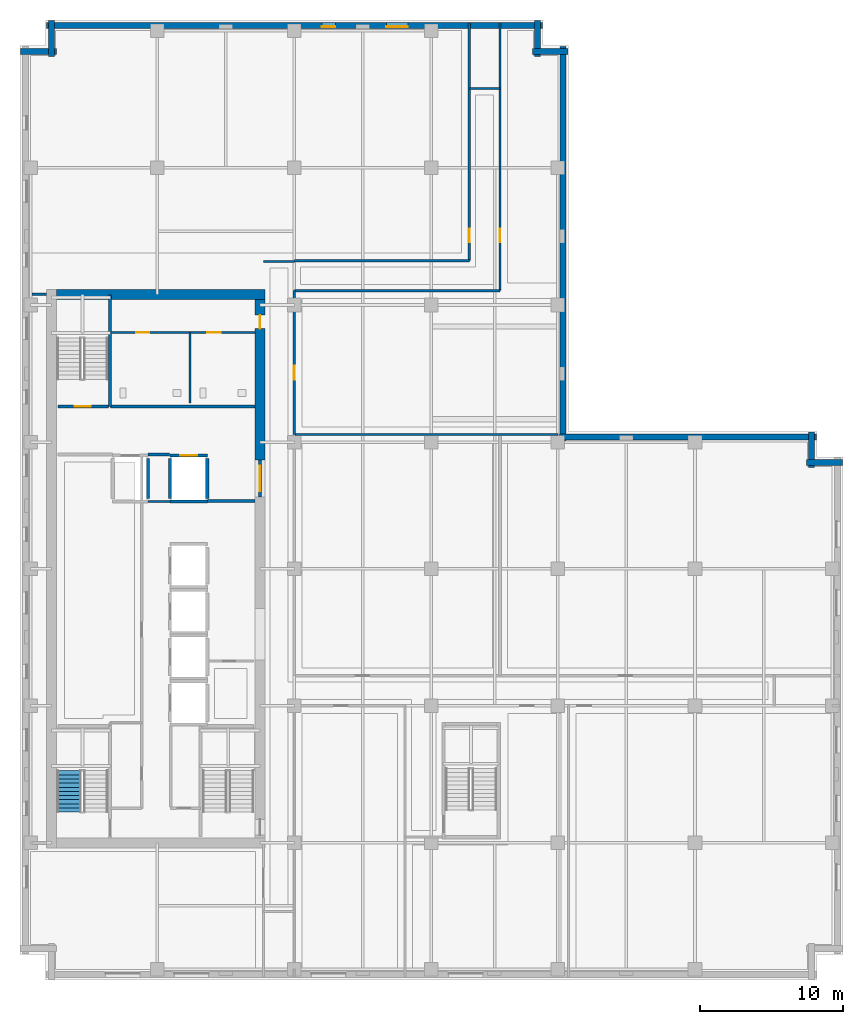
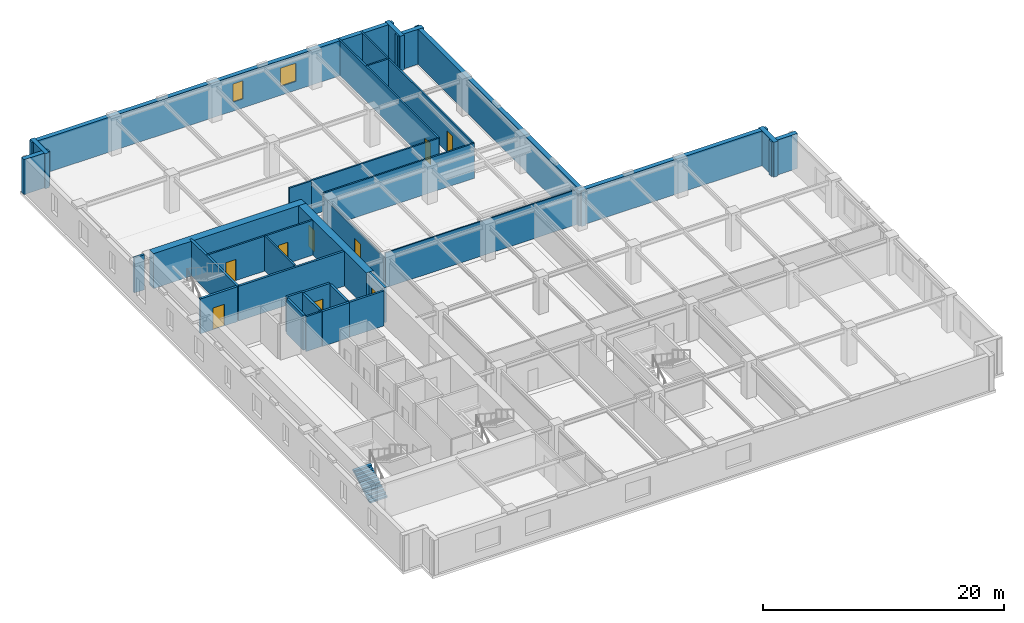
# One storey, part 7 of 13: 34 walls, 9 doors, 2 windows, 1 stair flight, 11 openings, 1 element without a shape of its own.
"""IFC4 building model written with IfcOpenShell, lengths in metres."""

from ifc_helpers import new_model, si_unit, direction, frame, frame_2d, origin, place, context, subcontext, project, spatial, polyline, rectangle, outline, extrude, material, layer, layer_set, type_object, element, fill, aggregate, save


model = new_model("IFC4")

# Units and contexts
model_context = context("Model", 3, precision=1e-05, world=origin(), true_north=direction((0.0, 1.0)))
body_context = subcontext(model_context, "Body", "Model", "MODEL_VIEW")
ifc_project = project(units=[si_unit("LENGTHUNIT", "METRE"), si_unit("AREAUNIT", "SQUARE_METRE"), si_unit("VOLUMEUNIT", "CUBIC_METRE"), si_unit("PLANEANGLEUNIT", "RADIAN"), si_unit("MASSUNIT", "GRAM", prefix="KILO")], contexts=[model_context])

# Site, building, storey
site_placement = place(None, origin())
site = spatial("IfcSite", under=ifc_project, at=site_placement, CompositionType="ELEMENT")
building_placement = place(site_placement, origin())
building = spatial("IfcBuilding", under=site, at=building_placement, Name="Norrvale University Quadrangle", CompositionType="ELEMENT")
storey_placement = place(building_placement, frame((0.0, 0.0, 163.60009765625)))
storey = spatial("IfcBuildingStorey", under=building, at=storey_placement, Name="L41", CompositionType="ELEMENT", Elevation=163.60009765625)

# Walls
ifc_material_1 = material(Name="Buff Norman Clay Brick Masonry", Category="masonry")
ifc_layer_1 = layer(ifc_material_1, 0.419921875, Name="Buff Norman Clay Brick Masonry")
ifc_layer_set_1 = layer_set([ifc_layer_1], Name="Buff Norman Clay Brick Masonry")
wall_type_1 = type_object("IfcWallType", Name="Wall Buff Brick 420", PredefinedType="SOLIDWALL", material=ifc_layer_set_1)
for number, where, z_axis, x_axis, name in (
    (1, (57.56005859375, 36.2099609375, 0.0), (0.0, 0.0, 1.0), (-1.0, 0.0, 0.0), "Exterior Brick Facade Wall L41-05.1"),
    (2, (55.409912109375, 35.860107421875, 0.0), (0.0, 0.0, 1.0), (0.0, 1.0, 0.0), "Exterior Brick Facade Wall L41-06.1"),
):
    element("IfcWall", number, at=place(storey_placement, frame(where, z_axis=z_axis, x_axis=x_axis)), inside=storey, type_object=wall_type_1, Name=name, PredefinedType="SOLIDWALL", context=body_context, shape_type="SweptSolid", body=[
        extrude(rectangle(XDim=2.5, YDim=0.419921875, at=frame_2d((1.25, 0.0))), origin(), (0.0, 0.0, 1.0), 3.539794921875),
    ])
wall_1_placement = place(storey_placement, frame((55.760009765625, 38.010009765625, 0.0), z_axis=(0.0, 0.0, 1.0), x_axis=(-1.0, 0.0, 0.0)))
element("IfcWall", 3, at=wall_1_placement, inside=storey, type_object=wall_type_1, Name="Exterior Brick Facade Wall L41-07.1", PredefinedType="SOLIDWALL", context=body_context, shape_type="SweptSolid", body=[
    extrude(rectangle(XDim=18.10009765625, YDim=0.419921875, at=frame_2d((9.050048828125, 0.0))), origin(), (0.0, 0.0, 1.0), 3.539794921875),
])
wall_2_placement = place(storey_placement, frame((38.010009765625, 37.659912109375, 0.0), z_axis=(0.0, 0.0, 1.0), x_axis=(0.0, 1.0, 0.0)))
element("IfcWall", 4, at=wall_2_placement, inside=storey, type_object=wall_type_1, Name="Exterior Brick Facade Wall L41-08.1", PredefinedType="SOLIDWALL", context=body_context, shape_type="SweptSolid", body=[
    extrude(rectangle(XDim=27.7001953125, YDim=0.419921875, at=frame_2d((13.85009765625, 0.0))), origin(), (0.0, 0.0, 1.0), 3.539794921875),
])
for number, where, z_axis, x_axis, name in (
    (5, (38.360107421875, 65.010009765625, 0.0), (0.0, 0.0, 1.0), (-1.0, 0.0, 0.0), "Exterior Brick Facade Wall L41-09.1"),
    (6, (36.2099609375, 64.659912109375, 0.0), (0.0, 0.0, 1.0), (0.0, 1.0, 0.0), "Exterior Brick Facade Wall L41-10.1"),
):
    element("IfcWall", number, at=place(storey_placement, frame(where, z_axis=z_axis, x_axis=x_axis)), inside=storey, type_object=wall_type_1, Name=name, PredefinedType="SOLIDWALL", context=body_context, shape_type="SweptSolid", body=[
        extrude(rectangle(XDim=2.5, YDim=0.419921875, at=frame_2d((1.25, 0.0))), origin(), (0.0, 0.0, 1.0), 3.539794921875),
    ])

# Wall, openings, windows
wall_3_placement = place(storey_placement, frame((36.56005859375, 66.81005859375, 0.0), z_axis=(0.0, 0.0, 1.0), x_axis=(-1.0, 0.0, 0.0)))
wall_3 = element("IfcWall", 7, at=wall_3_placement, inside=storey, type_object=wall_type_1, Name="Exterior Brick Facade Wall L41-11.1", PredefinedType="SOLIDWALL", context=body_context, shape_type="SweptSolid", body=[
    extrude(rectangle(XDim=34.719970703125, YDim=0.419921875, at=frame_2d((17.35986328125, 0.0))), origin(), (0.0, 0.0, 1.0), 3.539794921875),
])
opening_1_placement = place(wall_3_placement, frame((9.409912109375, 0.0, 0.89990234375)))
opening_1 = element("IfcOpeningElement", 8, at=opening_1_placement, cuts=wall_3, Name="Opening W03", PredefinedType="OPENING", context=body_context, shape_type="SweptSolid", body=[
    extrude(rectangle(XDim=1.5, YDim=1.85009765625, at=frame_2d((0.75, 0.925048828125))), frame((0.0, 0.221923828125, 0.0), z_axis=(0.0, -1.0, 0.0), x_axis=(1.0, 0.0, 0.0)), (0.0, 0.0, 1.0), 0.44384765625),
])
opening_2_placement = place(wall_3_placement, frame((14.485107421875, 0.0, 0.89990234375)))
opening_2 = element("IfcOpeningElement", 9, at=opening_2_placement, cuts=wall_3, Name="Opening W04", PredefinedType="OPENING", context=body_context, shape_type="SweptSolid", body=[
    extrude(rectangle(XDim=0.949951171875, YDim=1.85009765625, at=frame_2d((0.47509765625, 0.925048828125))), frame((0.0, 0.221923828125, 0.0), z_axis=(0.0, -1.0, 0.0), x_axis=(1.0, 0.0, 0.0)), (0.0, 0.0, 1.0), 0.44384765625),
])
ifc_material_2 = material(Name="Triple Low-E Argon Glazing", Category="glass")
window_type_1 = type_object("IfcWindowType", Name="Window Narrow Pier 950x2300", PartitioningType="SINGLE_PANEL", PredefinedType="WINDOW", material=ifc_material_2)
window_1_placement = place(opening_2_placement, origin())
window_1 = element("IfcWindow", 10, at=window_1_placement, inside=storey, type_object=window_type_1, Name="Window Narrow Pier 950x2300 WIN-L41-E11-1-02", OverallHeight=1.85009765625, OverallWidth=0.949951171875, PartitioningType="SINGLE_PANEL", PredefinedType="WINDOW", context=body_context, shape_type="SweptSolid", body=[
    extrude(rectangle(XDim=0.949951171875, YDim=1.85009765625, at=frame_2d((0.47509765625, 0.925048828125))), frame((0.0, 0.110107421875, 0.0), z_axis=(0.0, -1.0, 0.0), x_axis=(1.0, 0.0, 0.0)), (0.0, 0.0, 1.0), 0.06005859375),
])
fill(opening_2, window_1)
window_type_2 = type_object("IfcWindowType", Name="Window Studio 1500x2300", PartitioningType="DOUBLE_PANEL_VERTICAL", PredefinedType="WINDOW", material=ifc_material_2)
window_2_placement = place(opening_1_placement, origin())
window_2 = element("IfcWindow", 11, at=window_2_placement, inside=storey, type_object=window_type_2, Name="Window Studio 1500x2300 WIN-L41-E11-1-01", OverallHeight=1.85009765625, OverallWidth=1.5, PartitioningType="DOUBLE_PANEL_VERTICAL", PredefinedType="WINDOW", context=body_context, shape_type="SweptSolid", body=[
    extrude(rectangle(XDim=1.5, YDim=1.85009765625, at=frame_2d((0.75, 0.925048828125))), frame((0.0, 0.110107421875, 0.0), z_axis=(0.0, -1.0, 0.0), x_axis=(1.0, 0.0, 0.0)), (0.0, 0.0, 1.0), 0.06005859375),
])
fill(opening_1, window_2)

# Walls
for number, where, z_axis, x_axis, name in (
    (12, (2.18994140625, 67.159912109375, 0.0), (0.0, 0.0, 1.0), (0.0, -1.0, 0.0), "Exterior Brick Facade Wall L41-12.1"),
    (13, (2.5400390625, 65.010009765625, 0.0), (0.0, 0.0, 1.0), (-1.0, 0.0, 0.0), "Exterior Brick Facade Wall L41-13.1"),
):
    element("IfcWall", number, at=place(storey_placement, frame(where, z_axis=z_axis, x_axis=x_axis)), inside=storey, type_object=wall_type_1, Name=name, PredefinedType="SOLIDWALL", context=body_context, shape_type="SweptSolid", body=[
        extrude(rectangle(XDim=2.5, YDim=0.419921875, at=frame_2d((1.25, 0.0))), origin(), (0.0, 0.0, 1.0), 3.539794921875),
    ])
ifc_material_3 = material(Name="Concrete C60/75", Category="concrete")
ifc_layer_2 = layer(ifc_material_3, 0.699951171875, Name="Concrete C60/75")
ifc_layer_set_2 = layer_set([ifc_layer_2], Name="Concrete C60/75")
wall_type_2 = type_object("IfcWallType", Name="Wall Core 700", PredefinedType="SHEAR", material=ifc_layer_set_2)
wall_4_placement = place(storey_placement, frame((2.550048828125, 48.0, 0.0), z_axis=(0.0, 0.0, 1.0), x_axis=(1.0, 0.0, 0.0)))
element("IfcWall", 14, at=wall_4_placement, inside=storey, type_object=wall_type_2, Name="Tower Core Shear Wall L41-N", PredefinedType="SHEAR", context=body_context, shape_type="SweptSolid", body=[
    extrude(rectangle(XDim=14.599853515625, YDim=0.699951171875, at=frame_2d((7.2998046875, 0.0))), origin(), (0.0, 0.0, 1.0), 3.539794921875),
])

# Wall, opening, door
wall_5_placement = place(storey_placement, frame((16.800048828125, 36.39990234375, 0.0), z_axis=(0.0, 0.0, 1.0), x_axis=(0.0, 1.0, 0.0)))
wall_5 = element("IfcWall", 15, at=wall_5_placement, inside=storey, type_object=wall_type_2, Name="Tower Core Shear Wall L41-E3", PredefinedType="SHEAR", context=body_context, shape_type="SweptSolid", body=[
    extrude(rectangle(XDim=11.25, YDim=0.699951171875, at=frame_2d((5.625, 0.0))), origin(), (0.0, 0.0, 1.0), 3.539794921875),
])
opening_3_placement = place(wall_5_placement, frame((9.199951171875, 0.0, 0.0)))
opening_3 = element("IfcOpeningElement", 16, at=opening_3_placement, cuts=wall_5, Name="Opening D07", PredefinedType="OPENING", context=body_context, shape_type="SweptSolid", body=[
    extrude(rectangle(XDim=0.949951171875, YDim=2.14990234375, at=frame_2d((0.47509765625, 1.074951171875))), frame((0.0, 0.362060546875, 0.0), z_axis=(0.0, -1.0, 0.0), x_axis=(1.0, 0.0, 0.0)), (0.0, 0.0, 1.0), 0.723876953125),
])
ifc_material_4 = material(Name="Solid-Core Maple Door", Category="wood")
door_type_1 = type_object("IfcDoorType", Name="Door Office 950x2150", OperationType="NOTDEFINED", PredefinedType="DOOR", material=ifc_material_4)
door_1_placement = place(opening_3_placement, origin())
door_1 = element("IfcDoor", 17, at=door_1_placement, inside=storey, type_object=door_type_1, Name="Door Office 950x2150 DR-L41-NECORR", OperationType="SINGLE_SWING_RIGHT", OverallHeight=2.14990234375, OverallWidth=0.949951171875, PredefinedType="DOOR", context=body_context, shape_type="SweptSolid", body=[
    extrude(rectangle(XDim=0.949951171875, YDim=2.14990234375, at=frame_2d((0.47509765625, 1.074951171875))), frame((0.0, 0.02490234375, 0.0), z_axis=(0.0, -1.0, 0.0), x_axis=(1.0, 0.0, 0.0)), (0.0, 0.0, 1.0), 0.050048828125),
])
fill(opening_3, door_1)

# Walls
ifc_material_5 = material(Name="Standard Academic Gypsum Partition")
ifc_layer_3 = layer(ifc_material_5, 0.125, Name="Standard Academic Gypsum Partition")
ifc_layer_set_3 = layer_set([ifc_layer_3], Name="Standard Academic Gypsum Partition")
wall_type_3 = type_object("IfcWallType", Name="Wall Gypsum Academic 125", PredefinedType="PARTITIONING", material=ifc_layer_set_3)
wall_6_placement = place(storey_placement, frame((19.280029296875, 38.179931640625, 0.0), z_axis=(0.0, 0.0, 1.0), x_axis=(1.0, 0.0, 0.0)))
element("IfcWall", 18, at=wall_6_placement, inside=storey, type_object=wall_type_3, Name="Interior Partition WL-L41-ME-N", PredefinedType="PARTITIONING", context=body_context, shape_type="SweptSolid", body=[
    extrude(rectangle(XDim=18.369873046875, YDim=0.125, at=frame_2d((9.18505859375, 0.0))), origin(), (0.0, 0.0, 1.0), 3.539794921875),
])
ifc_material_6 = material(Name="Fire-Rated Gypsum Stud Partition")
ifc_layer_4 = layer(ifc_material_6, 0.14990234375, Name="Fire-Rated Gypsum Stud Partition")
ifc_layer_set_4 = layer_set([ifc_layer_4], Name="Fire-Rated Gypsum Stud Partition")
wall_type_4 = type_object("IfcWallType", Name="Wall Gypsum Corridor 150", PredefinedType="PARTITIONING", material=ifc_layer_set_4)
wall_7_placement = place(storey_placement, frame((8.965087890625, 33.489990234375, 0.0), z_axis=(0.0, 0.0, 1.0), x_axis=(1.0, 0.0, 0.0)))
element("IfcWall", 19, at=wall_7_placement, inside=storey, type_object=wall_type_4, Name="Interior Partition WL-L41-LL3", PredefinedType="PARTITIONING", context=body_context, shape_type="SweptSolid", body=[
    extrude(rectangle(XDim=1.52001953125, YDim=0.14990234375, at=frame_2d((0.760009765625, 0.0))), origin(), (0.0, 0.0, 1.0), 3.539794921875),
])
wall_8_placement = place(storey_placement, frame((17.050048828125, 50.300048828125, 0.0), z_axis=(0.0, 0.0, 1.0), x_axis=(1.0, 0.0, 0.0)))
element("IfcWall", 20, at=wall_8_placement, inside=storey, type_object=wall_type_4, Name="Interior Partition WL-L41-CSP-N", PredefinedType="PARTITIONING", context=body_context, shape_type="SweptSolid", body=[
    extrude(rectangle(XDim=2.14990234375, YDim=0.14990234375, at=frame_2d((1.074951171875, 0.0))), origin(), (0.0, 0.0, 1.0), 3.539794921875),
])

# Wall, opening, door
wall_9_placement = place(storey_placement, frame((19.199951171875, 38.179931640625, 0.0), z_axis=(0.0, 0.0, 1.0), x_axis=(0.0, 1.0, 0.0)))
wall_9 = element("IfcWall", 21, at=wall_9_placement, inside=storey, type_object=wall_type_4, Name="Interior Partition WL-L41-MNECW", PredefinedType="PARTITIONING", context=body_context, shape_type="SweptSolid", body=[
    extrude(rectangle(XDim=10.070068359375, YDim=0.14990234375, at=frame_2d((5.03515625, 0.0))), origin(), (0.0, 0.0, 1.0), 3.122802734375),
])
opening_4_placement = place(wall_9_placement, frame((3.85009765625, 0.0, 0.0)))
opening_4 = element("IfcOpeningElement", 22, at=opening_4_placement, cuts=wall_9, Name="Opening D07", PredefinedType="OPENING", context=body_context, shape_type="SweptSolid", body=[
    extrude(rectangle(XDim=0.949951171875, YDim=2.14990234375, at=frame_2d((0.47509765625, 1.074951171875))), frame((0.0, 0.0869140625, 0.0), z_axis=(0.0, -1.0, 0.0), x_axis=(1.0, 0.0, 0.0)), (0.0, 0.0, 1.0), 0.173828125),
])
door_2_placement = place(opening_4_placement, origin())
door_2 = element("IfcDoor", 23, at=door_2_placement, inside=storey, type_object=door_type_1, Name="Door Office 950x2150 DR-L41-MNE01", OperationType="SINGLE_SWING_RIGHT", OverallHeight=2.14990234375, OverallWidth=0.949951171875, PredefinedType="DOOR", context=body_context, shape_type="SweptSolid", body=[
    extrude(rectangle(XDim=0.949951171875, YDim=2.14990234375, at=frame_2d((0.47509765625, 1.074951171875))), frame((0.0, 0.02490234375, 0.0), z_axis=(0.0, -1.0, 0.0), x_axis=(1.0, 0.0, 0.0)), (0.0, 0.0, 1.0), 0.050048828125),
])
fill(opening_4, door_2)

# Walls
wall_10_placement = place(storey_placement, frame((19.199951171875, 48.25, 0.0), z_axis=(0.0, 0.0, 1.0), x_axis=(1.0, 0.0, 0.0)))
element("IfcWall", 24, at=wall_10_placement, inside=storey, type_object=wall_type_4, Name="Interior Partition WL-L41-JOGS", PredefinedType="PARTITIONING", context=body_context, shape_type="SweptSolid", body=[
    extrude(rectangle(XDim=14.400146484375, YDim=0.14990234375, at=frame_2d((7.2001953125, 0.0))), origin(), (0.0, 0.0, 1.0), 3.539794921875),
])
wall_11_placement = place(storey_placement, frame((19.199951171875, 50.35009765625, 0.0), z_axis=(0.0, 0.0, 1.0), x_axis=(1.0, 0.0, 0.0)))
element("IfcWall", 25, at=wall_11_placement, inside=storey, type_object=wall_type_4, Name="Interior Partition WL-L41-JOGN", PredefinedType="PARTITIONING", context=body_context, shape_type="SweptSolid", body=[
    extrude(rectangle(XDim=12.25, YDim=0.14990234375, at=frame_2d((6.125, 0.0))), origin(), (0.0, 0.0, 1.0), 3.539794921875),
])
wall_12_placement = place(storey_placement, frame((31.449951171875, 62.39990234375, 0.0), z_axis=(0.0, 0.0, 1.0), x_axis=(1.0, 0.0, 0.0)))
element("IfcWall", 26, at=wall_12_placement, inside=storey, type_object=wall_type_4, Name="Interior Partition WL-L41-JOGEND", PredefinedType="PARTITIONING", context=body_context, shape_type="SweptSolid", body=[
    extrude(rectangle(XDim=2.150146484375, YDim=0.14990234375, at=frame_2d((1.0751953125, 0.0))), origin(), (0.0, 0.0, 1.0), 3.539794921875),
])

# Wall, opening, door
wall_13_placement = place(storey_placement, frame((33.60009765625, 48.25, 0.0), z_axis=(0.0, 0.0, 1.0), x_axis=(0.0, 1.0, 0.0)))
wall_13 = element("IfcWall", 27, at=wall_13_placement, inside=storey, type_object=wall_type_4, Name="Interior Partition WL-L41-NECW", PredefinedType="PARTITIONING", context=body_context, shape_type="SweptSolid", body=[
    extrude(rectangle(XDim=18.72998046875, YDim=0.14990234375, at=frame_2d((9.364990234375, 0.0))), origin(), (0.0, 0.0, 1.0), 3.539794921875),
])
opening_5_placement = place(wall_13_placement, frame((3.39990234375, 0.0, 0.0)))
opening_5 = element("IfcOpeningElement", 28, at=opening_5_placement, cuts=wall_13, Name="Opening D07", PredefinedType="OPENING", context=body_context, shape_type="SweptSolid", body=[
    extrude(rectangle(XDim=0.949951171875, YDim=2.14990234375, at=frame_2d((0.47509765625, 1.074951171875))), frame((0.0, 0.0869140625, 0.0), z_axis=(0.0, -1.0, 0.0), x_axis=(1.0, 0.0, 0.0)), (0.0, 0.0, 1.0), 0.173828125),
])
door_3_placement = place(opening_5_placement, origin())
door_3 = element("IfcDoor", 29, at=door_3_placement, inside=storey, type_object=door_type_1, Name="Door Office 950x2150 DR-L41-NE01", OperationType="SINGLE_SWING_RIGHT", OverallHeight=2.14990234375, OverallWidth=0.949951171875, PredefinedType="DOOR", context=body_context, shape_type="SweptSolid", body=[
    extrude(rectangle(XDim=0.949951171875, YDim=2.14990234375, at=frame_2d((0.47509765625, 1.074951171875))), frame((0.0, 0.02490234375, 0.0), z_axis=(0.0, -1.0, 0.0), x_axis=(1.0, 0.0, 0.0)), (0.0, 0.0, 1.0), 0.050048828125),
])
fill(opening_5, door_3)

wall_14_placement = place(storey_placement, frame((31.449951171875, 50.35009765625, 0.0), z_axis=(0.0, 0.0, 1.0), x_axis=(0.0, 1.0, 0.0)))
wall_14 = element("IfcWall", 30, at=wall_14_placement, inside=storey, type_object=wall_type_4, Name="Interior Partition WL-L41-NWCW", PredefinedType="PARTITIONING", context=body_context, shape_type="SweptSolid", body=[
    extrude(rectangle(XDim=16.6298828125, YDim=0.14990234375, at=frame_2d((8.31494140625, 0.0))), origin(), (0.0, 0.0, 1.0), 3.539794921875),
])
opening_6_placement = place(wall_14_placement, frame((1.300048828125, 0.0, 0.0)))
opening_6 = element("IfcOpeningElement", 31, at=opening_6_placement, cuts=wall_14, Name="Opening D07", PredefinedType="OPENING", context=body_context, shape_type="SweptSolid", body=[
    extrude(rectangle(XDim=0.949951171875, YDim=2.14990234375, at=frame_2d((0.47509765625, 1.074951171875))), frame((0.0, 0.0869140625, 0.0), z_axis=(0.0, -1.0, 0.0), x_axis=(1.0, 0.0, 0.0)), (0.0, 0.0, 1.0), 0.173828125),
])
door_4_placement = place(opening_6_placement, origin())
door_4 = element("IfcDoor", 32, at=door_4_placement, inside=storey, type_object=door_type_1, Name="Door Office 950x2150 DR-L41-NW01", OperationType="SINGLE_SWING_RIGHT", OverallHeight=2.14990234375, OverallWidth=0.949951171875, PredefinedType="DOOR", context=body_context, shape_type="SweptSolid", body=[
    extrude(rectangle(XDim=0.949951171875, YDim=2.14990234375, at=frame_2d((0.47509765625, 1.074951171875))), frame((0.0, 0.02490234375, 0.0), z_axis=(0.0, -1.0, 0.0), x_axis=(1.0, 0.0, 0.0)), (0.0, 0.0, 1.0), 0.050048828125),
])
fill(opening_6, door_4)

# Wall, openings, doors
ifc_material_7 = material(Name="Sanitary Chase Gypsum Partition")
ifc_layer_5 = layer(ifc_material_7, 0.1650390625, Name="Sanitary Chase Gypsum Partition")
ifc_layer_set_5 = layer_set([ifc_layer_5], Name="Sanitary Chase Gypsum Partition")
wall_type_5 = type_object("IfcWallType", Name="Wall Gypsum Sanitary 165", PredefinedType="PLUMBINGWALL", material=ifc_layer_set_5)
wall_15_placement = place(storey_placement, frame((6.320068359375, 45.320068359375, 0.0), z_axis=(0.0, 0.0, 1.0), x_axis=(1.0, 0.0, 0.0)))
wall_15 = element("IfcWall", 33, at=wall_15_placement, inside=storey, type_object=wall_type_5, Name="Interior Partition WL-L41-WCN", PredefinedType="PLUMBINGWALL", context=body_context, shape_type="SweptSolid", body=[
    extrude(rectangle(XDim=10.1298828125, YDim=0.1650390625, at=frame_2d((5.06494140625, 0.0))), origin(), (0.0, 0.0, 1.0), 3.539794921875),
])
opening_7_placement = place(wall_15_placement, frame((1.800048828125, 0.0, 0.0)))
opening_7 = element("IfcOpeningElement", 34, at=opening_7_placement, cuts=wall_15, Name="Opening D08", PredefinedType="OPENING", context=body_context, shape_type="SweptSolid", body=[
    extrude(rectangle(XDim=0.919921875, YDim=2.14990234375, at=frame_2d((0.4599609375, 1.074951171875))), frame((0.0, 0.094482421875, 0.0), z_axis=(0.0, -1.0, 0.0), x_axis=(1.0, 0.0, 0.0)), (0.0, 0.0, 1.0), 0.18896484375),
])
opening_8_placement = place(wall_15_placement, frame((6.800048828125, 0.0, 0.0)))
opening_8 = element("IfcOpeningElement", 35, at=opening_8_placement, cuts=wall_15, Name="Opening D08", PredefinedType="OPENING", context=body_context, shape_type="SweptSolid", body=[
    extrude(rectangle(XDim=0.919921875, YDim=2.14990234375, at=frame_2d((0.4599609375, 1.074951171875))), frame((0.0, 0.094482421875, 0.0), z_axis=(0.0, -1.0, 0.0), x_axis=(1.0, 0.0, 0.0)), (0.0, 0.0, 1.0), 0.18896484375),
])
ifc_material_8 = material(Name="Laminate Washroom Door", Category="wood")
door_type_2 = type_object("IfcDoorType", Name="Door Washroom 920x2150", OperationType="NOTDEFINED", PredefinedType="DOOR", material=ifc_material_8)
door_5_placement = place(opening_7_placement, origin())
door_5 = element("IfcDoor", 36, at=door_5_placement, inside=storey, type_object=door_type_2, Name="Door Washroom 920x2150 DR-L41-WC1", OperationType="SINGLE_SWING_LEFT", OverallHeight=2.14990234375, OverallWidth=0.919921875, PredefinedType="DOOR", context=body_context, shape_type="SweptSolid", body=[
    extrude(rectangle(XDim=0.919921875, YDim=2.14990234375, at=frame_2d((0.4599609375, 1.074951171875))), frame((0.0, 0.02490234375, 0.0), z_axis=(0.0, -1.0, 0.0), x_axis=(1.0, 0.0, 0.0)), (0.0, 0.0, 1.0), 0.050048828125),
])
fill(opening_7, door_5)
door_6_placement = place(opening_8_placement, origin())
door_6 = element("IfcDoor", 37, at=door_6_placement, inside=storey, type_object=door_type_2, Name="Door Washroom 920x2150 DR-L41-WC2", OperationType="SINGLE_SWING_RIGHT", OverallHeight=2.14990234375, OverallWidth=0.919921875, PredefinedType="DOOR", context=body_context, shape_type="SweptSolid", body=[
    extrude(rectangle(XDim=0.919921875, YDim=2.14990234375, at=frame_2d((0.4599609375, 1.074951171875))), frame((0.0, 0.02490234375, 0.0), z_axis=(0.0, -1.0, 0.0), x_axis=(1.0, 0.0, 0.0)), (0.0, 0.0, 1.0), 0.050048828125),
])
fill(opening_8, door_6)

# Walls
wall_16_placement = place(storey_placement, frame((11.89990234375, 40.39990234375, 0.0), z_axis=(0.0, 0.0, 1.0), x_axis=(0.0, 1.0, 0.0)))
element("IfcWall", 38, at=wall_16_placement, inside=storey, type_object=wall_type_5, Name="Interior Partition WL-L41-WCM1", PredefinedType="PLUMBINGWALL", context=body_context, shape_type="SweptSolid", body=[
    extrude(rectangle(XDim=4.920166015625, YDim=0.1650390625, at=frame_2d((2.4599609375, 0.0))), origin(), (0.0, 0.0, 1.0), 3.539794921875),
])
ifc_material_9 = material(Name="Concrete Blockwork 20 MPa Rated Wall", Category="masonry")
ifc_layer_6 = layer(ifc_material_9, 0.199951171875, Name="Concrete Blockwork 20 MPa Rated Wall")
ifc_layer_set_6 = layer_set([ifc_layer_6], Name="Concrete Blockwork 20 MPa Rated Wall")
wall_type_6 = type_object("IfcWallType", Name="Wall Lobby 200", PredefinedType="SOLIDWALL", material=ifc_layer_set_6)
wall_17_placement = place(storey_placement, frame((8.969970703125, 36.780029296875, 0.0), z_axis=(0.0, 0.0, 1.0), x_axis=(1.0, 0.0, 0.0)))
element("IfcWall", 39, at=wall_17_placement, inside=storey, type_object=wall_type_6, Name="Interior Partition WL-L41-FF2", PredefinedType="SOLIDWALL", context=body_context, shape_type="SweptSolid", body=[
    extrude(rectangle(XDim=1.510009765625, YDim=0.199951171875, at=frame_2d((0.7548828125, 0.0))), origin(), (0.0, 0.0, 1.0), 3.539794921875),
])
wall_18_placement = place(storey_placement, frame((13.1201171875, 33.52001953125, 0.0), z_axis=(0.0, 0.0, 1.0), x_axis=(1.0, 0.0, 0.0)))
element("IfcWall", 40, at=wall_18_placement, inside=storey, type_object=wall_type_6, Name="Interior Partition WL-L41-FF3", PredefinedType="SOLIDWALL", context=body_context, shape_type="SweptSolid", body=[
    extrude(rectangle(XDim=3.329833984375, YDim=0.199951171875, at=frame_2d((1.6650390625, 0.0))), origin(), (0.0, 0.0, 1.0), 3.539794921875),
])
wall_19_placement = place(storey_placement, frame((6.320068359375, 40.139892578125, 0.0), z_axis=(0.0, 0.0, 1.0), x_axis=(1.0, 0.0, 0.0)))
element("IfcWall", 41, at=wall_19_placement, inside=storey, type_object=wall_type_6, Name="Interior Partition WL-L41-FF4", PredefinedType="SOLIDWALL", context=body_context, shape_type="SweptSolid", body=[
    extrude(rectangle(XDim=10.1298828125, YDim=0.199951171875, at=frame_2d((5.06494140625, 0.0))), origin(), (0.0, 0.0, 1.0), 3.539794921875),
])

# Wall, opening, door
wall_20_placement = place(storey_placement, frame((16.800048828125, 33.800048828125, 0.0), z_axis=(0.0, 0.0, 1.0), x_axis=(0.0, 1.0, 0.0)))
wall_20 = element("IfcWall", 42, at=wall_20_placement, inside=storey, type_object=wall_type_6, Name="Interior Partition WL-L41-FFP", PredefinedType="SOLIDWALL", context=body_context, shape_type="SweptSolid", body=[
    extrude(rectangle(XDim=2.599853515625, YDim=0.199951171875, at=frame_2d((1.2998046875, 0.0))), origin(), (0.0, 0.0, 1.0), 3.539794921875),
])
opening_9_placement = place(wall_20_placement, frame((0.39990234375, 0.0, 0.0)))
opening_9 = element("IfcOpeningElement", 43, at=opening_9_placement, cuts=wall_20, Name="Opening D03", PredefinedType="OPENING", context=body_context, shape_type="SweptSolid", body=[
    extrude(rectangle(XDim=1.800048828125, YDim=2.199951171875, at=frame_2d((0.89990234375, 1.10009765625))), frame((0.0, 0.112060546875, 0.0), z_axis=(0.0, -1.0, 0.0), x_axis=(1.0, 0.0, 0.0)), (0.0, 0.0, 1.0), 0.223876953125),
])
ifc_material_10 = material(Name="Hollow Steel 350W Fire Door", Category="steel")
door_type_3 = type_object("IfcDoorType", Name="Door Fire Lobby 1800x2200", OperationType="DOUBLE_DOOR_SINGLE_SWING", PredefinedType="DOOR", material=ifc_material_10)
door_7_placement = place(opening_9_placement, origin())
door_7 = element("IfcDoor", 44, at=door_7_placement, inside=storey, type_object=door_type_3, Name="Door Fire Lobby 1800x2200 DR-L41-FFP", OperationType="DOUBLE_DOOR_SINGLE_SWING", OverallHeight=2.199951171875, OverallWidth=1.800048828125, PredefinedType="DOOR", context=body_context, shape_type="SweptSolid", body=[
    extrude(rectangle(XDim=1.800048828125, YDim=2.199951171875, at=frame_2d((0.89990234375, 1.10009765625))), frame((0.0, 0.02490234375, 0.0), z_axis=(0.0, -1.0, 0.0), x_axis=(1.0, 0.0, 0.0)), (0.0, 0.0, 1.0), 0.050048828125),
])
fill(opening_9, door_7)

# Wall
wall_21_placement = place(storey_placement, frame((0.85009765625, 48.0, 0.0), z_axis=(0.0, 0.0, 1.0), x_axis=(1.0, 0.0, 0.0)))
element("IfcWall", 45, at=wall_21_placement, inside=storey, type_object=wall_type_6, Name="Interior Partition WL-L41-CWRET-N", PredefinedType="SOLIDWALL", context=body_context, shape_type="SweptSolid", body=[
    extrude(rectangle(XDim=0.994873046875, YDim=0.199951171875, at=frame_2d((0.49755859375, 0.0))), origin(), (0.0, 0.0, 1.0), 3.539794921875),
])

# Wall, opening, door
ifc_material_11 = material(Name="Concrete Blockwork 20 MPa Fire Shaft", Category="masonry")
ifc_layer_7 = layer(ifc_material_11, 0.219970703125, Name="Concrete Blockwork 20 MPa Fire Shaft")
ifc_layer_set_7 = layer_set([ifc_layer_7], Name="Concrete Blockwork 20 MPa Fire Shaft")
wall_type_7 = type_object("IfcWallType", Name="Wall Shaft 220", PredefinedType="SOLIDWALL", material=ifc_layer_set_7)
wall_22_placement = place(storey_placement, frame((2.64990234375, 40.139892578125, 0.0), z_axis=(0.0, 0.0, 1.0), x_axis=(1.0, 0.0, 0.0)))
wall_22 = element("IfcWall", 46, at=wall_22_placement, inside=storey, type_object=wall_type_7, Name="Stair ST-02 South Shaft Wall L41", PredefinedType="SOLIDWALL", context=body_context, shape_type="SweptSolid", body=[
    extrude(rectangle(XDim=3.550048828125, YDim=0.219970703125, at=frame_2d((1.77490234375, 0.0))), origin(), (0.0, 0.0, 1.0), 3.539794921875),
])
opening_10_placement = place(wall_22_placement, frame((1.199951171875, 0.0, 0.0)))
opening_10 = element("IfcOpeningElement", 47, at=opening_10_placement, cuts=wall_22, Name="Opening D02", PredefinedType="OPENING", context=body_context, shape_type="SweptSolid", body=[
    extrude(rectangle(XDim=1.10009765625, YDim=2.199951171875, at=frame_2d((0.550048828125, 1.10009765625))), frame((0.0, 0.1220703125, 0.0), z_axis=(0.0, -1.0, 0.0), x_axis=(1.0, 0.0, 0.0)), (0.0, 0.0, 1.0), 0.243896484375),
])
door_type_4 = type_object("IfcDoorType", Name="Door Stair Exit 1100x2200", OperationType="NOTDEFINED", PredefinedType="DOOR", material=ifc_material_10)
door_8_placement = place(opening_10_placement, origin())
door_8 = element("IfcDoor", 48, at=door_8_placement, inside=storey, type_object=door_type_4, Name="Door Stair Exit 1100x2200 DR-L41-ST02", OperationType="SINGLE_SWING_LEFT", OverallHeight=2.199951171875, OverallWidth=1.10009765625, PredefinedType="DOOR", context=body_context, shape_type="SweptSolid", body=[
    extrude(rectangle(XDim=1.10009765625, YDim=2.199951171875, at=frame_2d((0.550048828125, 1.10009765625))), frame((0.0, 0.02490234375, 0.0), z_axis=(0.0, -1.0, 0.0), x_axis=(1.0, 0.0, 0.0)), (0.0, 0.0, 1.0), 0.050048828125),
])
fill(opening_10, door_8)

# Walls
wall_23_placement = place(storey_placement, frame((6.31005859375, 40.139892578125, 0.0), z_axis=(0.0, 0.0, 1.0), x_axis=(0.0, 1.0, 0.0)))
element("IfcWall", 49, at=wall_23_placement, inside=storey, type_object=wall_type_7, Name="Stair ST-02 East Shaft Wall L41", PredefinedType="SOLIDWALL", context=body_context, shape_type="SweptSolid", body=[
    extrude(rectangle(XDim=7.81005859375, YDim=0.219970703125, at=frame_2d((3.905029296875, 0.0))), origin(), (0.0, 0.0, 1.0), 3.539794921875),
])
for number, where, z_axis, x_axis, name in (
    (50, (8.9599609375, 33.7099609375, 0.0), (0.0, 0.0, 1.0), (0.0, 1.0, 0.0), "Hoistway FFL-01 East Wall L41"),
    (51, (10.489990234375, 33.7099609375, 0.0), (0.0, 0.0, 1.0), (0.0, 1.0, 0.0), "Hoistway FFL-02 West Wall L41"),
    (52, (13.110107421875, 33.7099609375, 0.0), (0.0, 0.0, 1.0), (0.0, 1.0, 0.0), "Hoistway FFL-02 East Wall L41"),
):
    element("IfcWall", number, at=place(storey_placement, frame(where, z_axis=z_axis, x_axis=x_axis)), inside=storey, type_object=wall_type_7, Name=name, PredefinedType="SOLIDWALL", context=body_context, shape_type="SweptSolid", body=[
        extrude(rectangle(XDim=2.780029296875, YDim=0.219970703125, at=frame_2d((1.39013671875, 0.0))), origin(), (0.0, 0.0, 1.0), 3.539794921875),
    ])
wall_24_placement = place(storey_placement, frame((10.489990234375, 33.489990234375, 0.0), z_axis=(0.0, 0.0, 1.0), x_axis=(1.0, 0.0, 0.0)))
element("IfcWall", 53, at=wall_24_placement, inside=storey, type_object=wall_type_7, Name="Hoistway FFL-02 South Wall L41", PredefinedType="SOLIDWALL", context=body_context, shape_type="SweptSolid", body=[
    extrude(rectangle(XDim=2.6201171875, YDim=0.219970703125, at=frame_2d((1.31005859375, 0.0))), origin(), (0.0, 0.0, 1.0), 3.539794921875),
])

# Wall, opening, door
wall_25_placement = place(storey_placement, frame((10.489990234375, 36.7099609375, 0.0), z_axis=(0.0, 0.0, 1.0), x_axis=(1.0, 0.0, 0.0)))
wall_25 = element("IfcWall", 54, at=wall_25_placement, inside=storey, type_object=wall_type_7, Name="Hoistway FFL-02 North Wall L41", PredefinedType="SOLIDWALL", context=body_context, shape_type="SweptSolid", body=[
    extrude(rectangle(XDim=2.6201171875, YDim=0.219970703125, at=frame_2d((1.31005859375, 0.0))), origin(), (0.0, 0.0, 1.0), 3.539794921875),
])
opening_11_placement = place(wall_25_placement, frame((0.7099609375, 0.0, 0.0)))
opening_11 = element("IfcOpeningElement", 55, at=opening_11_placement, cuts=wall_25, Name="Opening LD2", PredefinedType="OPENING", context=body_context, shape_type="SweptSolid", body=[
    extrude(rectangle(XDim=1.199951171875, YDim=2.199951171875, at=frame_2d((0.60009765625, 1.10009765625))), frame((0.0, 0.1220703125, 0.0), z_axis=(0.0, -1.0, 0.0), x_axis=(1.0, 0.0, 0.0)), (0.0, 0.0, 1.0), 0.243896484375),
])
ifc_material_12 = material(Name="Stainless Steel 316L Firefighter Lift Door", Category="steel")
door_type_5 = type_object("IfcDoorType", Name="Door Fire Lift 1200x2200", OperationType="DOUBLE_DOOR_SLIDING", PredefinedType="DOOR", material=ifc_material_12)
door_9_placement = place(opening_11_placement, origin())
door_9 = element("IfcDoor", 56, at=door_9_placement, inside=storey, type_object=door_type_5, Name="Elevator Landing Door DR-L41-FFL-02", OperationType="DOUBLE_DOOR_SLIDING", OverallHeight=2.199951171875, OverallWidth=1.199951171875, PredefinedType="DOOR", context=body_context, shape_type="SweptSolid", body=[
    extrude(rectangle(XDim=1.199951171875, YDim=2.199951171875, at=frame_2d((0.60009765625, 1.10009765625))), frame((0.0, 0.02490234375, 0.0), z_axis=(0.0, -1.0, 0.0), x_axis=(1.0, 0.0, 0.0)), (0.0, 0.0, 1.0), 0.050048828125),
])
fill(opening_11, door_9)

# Stair, stair flight
ifc_material_13 = material(Name="Concrete C40/50", Category="concrete")
stair_type = type_object("IfcStairType", Name="Stair Tower Typ 3800", PredefinedType="TWO_STRAIGHT_RUN_STAIR", material=ifc_material_13)
stair_placement = place(storey_placement, origin())
stair = element("IfcStair", 57, at=stair_placement, inside=storey, type_object=stair_type, Name="Exit Stair ST-01 L41", PredefinedType="TWO_STRAIGHT_RUN_STAIR")
stair_flight_type = type_object("IfcStairFlightType", Name="Flight Typ 1500", PredefinedType="STRAIGHT", material=ifc_material_13)
stair_flight_placement = place(storey_placement, frame((3.429931640625, 11.75, 0.0), z_axis=(0.0, 0.0, 1.0), x_axis=(0.0, 1.0, 0.0)))
stair_flight = element("IfcStairFlight", 58, at=stair_flight_placement, type_object=stair_flight_type, Name="Exit Stair ST-01 L41 Lower Flight", NumberOfRisers=11, NumberOfTreads=10, PredefinedType="STRAIGHT", RiserHeight=0.172727, TreadLength=0.29, context=body_context, shape_type="SweptSolid", body=[
    extrude(outline(polyline([(0.0, 0.0), (0.0, 0.172607421875), (0.2900390625, 0.172607421875), (0.2900390625, 0.345458984375), (0.580078125, 0.345458984375), (0.580078125, 0.51806640625), (0.8701171875, 0.51806640625), (0.8701171875, 0.69091796875), (1.159912109375, 0.69091796875), (1.159912109375, 0.863525390625), (1.449951171875, 0.863525390625), (1.449951171875, 1.036376953125), (1.739990234375, 1.036376953125), (1.739990234375, 1.208984375), (2.030029296875, 1.208984375), (2.030029296875, 1.3818359375), (2.320068359375, 1.3818359375), (2.320068359375, 1.554443359375), (2.610107421875, 1.554443359375), (2.610107421875, 1.727294921875), (2.89990234375, 1.727294921875), (2.89990234375, 1.89990234375), (2.89990234375, 1.552734375), (0.29296875, 0.0), (0.0, 0.0)])), frame((0.0, 0.83984375, 0.0), z_axis=(0.0, -1.0, 0.0), x_axis=(1.0, 0.0, 0.0)), (0.0, 0.0, 1.0), 1.679931640625),
])
aggregate(stair, [stair_flight])

save(model, "model.ifc")
